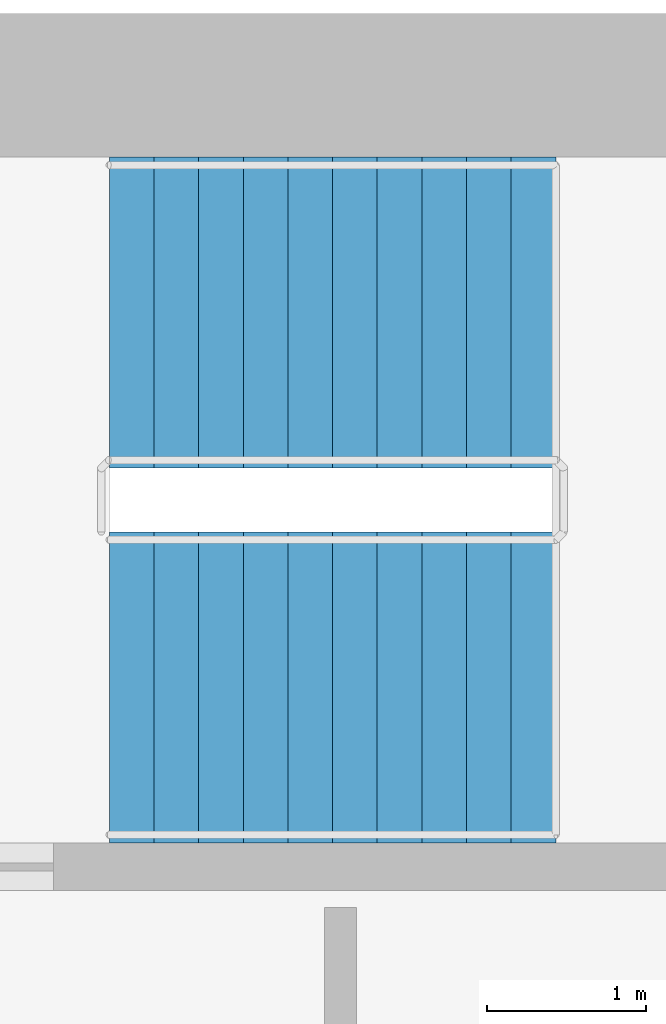
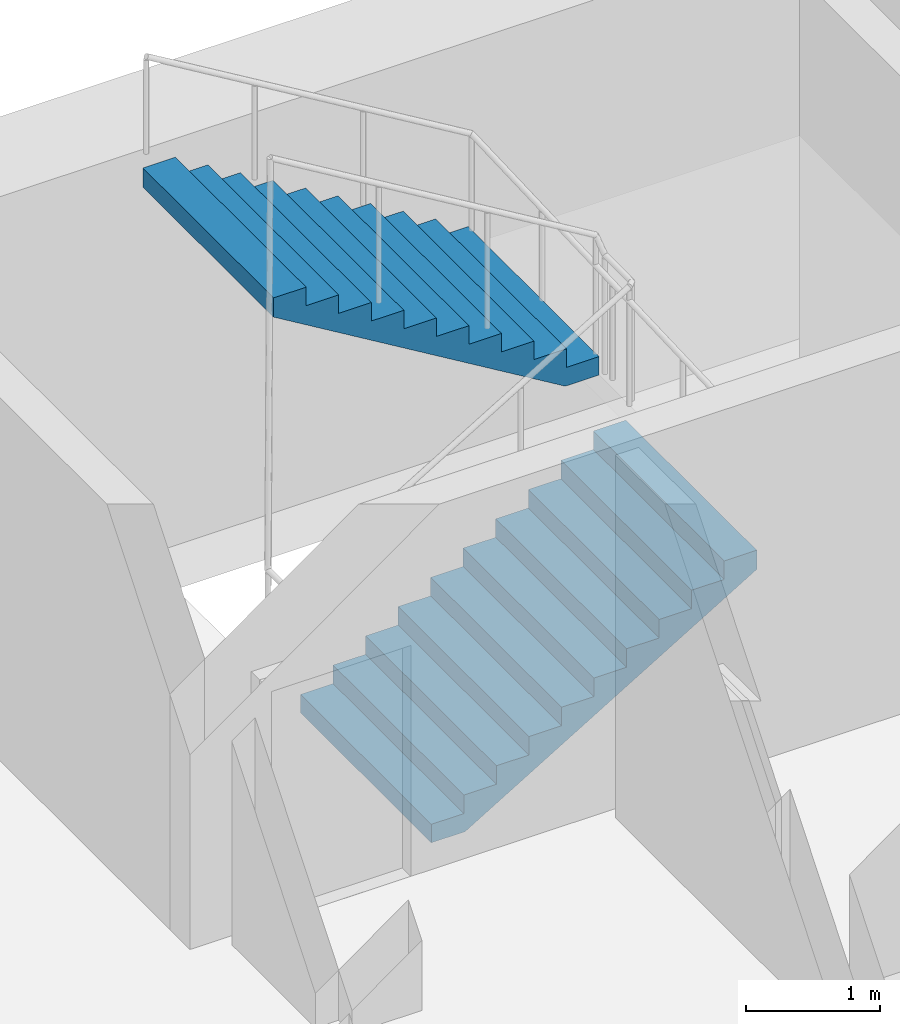
# One storey, part 17 of 22: 2 stair flights, 1 element without a shape of its own.
"""IFC4 building model written with IfcOpenShell, lengths in metres."""

from ifc_helpers import new_model, si_unit, direction, frame, origin, place, context, subcontext, project, spatial, polyline, outline, extrude, material, type_object, element, aggregate, save


model = new_model("IFC4")

# Units and contexts
model_context = context("Model", 3, precision=1e-05, world=origin(), true_north=direction((0.0, 1.0)))
body_context = subcontext(model_context, "Body", "Model", "MODEL_VIEW")
ifc_project = project(units=[si_unit("LENGTHUNIT", "METRE"), si_unit("AREAUNIT", "SQUARE_METRE"), si_unit("VOLUMEUNIT", "CUBIC_METRE"), si_unit("PLANEANGLEUNIT", "RADIAN"), si_unit("MASSUNIT", "GRAM", prefix="KILO")], contexts=[model_context])

# Site, building, storey
site_placement = place(None, origin())
site = spatial("IfcSite", under=ifc_project, at=site_placement, CompositionType="ELEMENT")
building_placement = place(site_placement, origin())
building = spatial("IfcBuilding", under=site, at=building_placement, Name="Hunhe Ridgeline Campus", CompositionType="ELEMENT")
storey_placement = place(building_placement, frame((0.0, 0.0, 163.39990234375)))
storey = spatial("IfcBuildingStorey", under=building, at=storey_placement, Name="L41", CompositionType="ELEMENT", Elevation=163.39990234375)

# Stair, stair flights
ifc_material = material(Name="Concrete C40", Category="concrete")
stair_type = type_object("IfcStairType", Name="Reinforced concrete dog-leg stair 1950 Concrete C40", PredefinedType="HALF_TURN_STAIR", material=ifc_material)
stair_placement = place(storey_placement, origin())
stair = element("IfcStair", 1, at=stair_placement, inside=storey, type_object=stair_type, Name="L41 E2", PredefinedType="HALF_TURN_STAIR")
stair_flight_type = type_object("IfcStairFlightType", Name="Reinforced concrete stair flight 1950 Concrete C40", PredefinedType="STRAIGHT", material=ifc_material)
stair_flight_1_placement = place(storey_placement, frame((51.64990234375, 94.77490234375, 0.0), z_axis=(0.0, 0.0, 1.0), x_axis=(1.0, 0.0, 0.0)))
stair_flight_1 = element("IfcStairFlight", 2, at=stair_flight_1_placement, type_object=stair_flight_type, Name="ST6 flight 1", NumberOfRisers=11, NumberOfTreads=10, PredefinedType="STRAIGHT", RiserHeight=0.168181818, TreadLength=0.28, context=body_context, shape_type="SweptSolid", body=[
    extrude(outline(polyline([(0.0, 0.0), (0.0, 0.168212890625), (0.280029296875, 0.168212890625), (0.280029296875, 0.33642578125), (0.56005859375, 0.33642578125), (0.56005859375, 0.504638671875), (0.840087890625, 0.504638671875), (0.840087890625, 0.672607421875), (1.1201171875, 0.672607421875), (1.1201171875, 0.8408203125), (1.39990234375, 0.8408203125), (1.39990234375, 1.009033203125), (1.679931640625, 1.009033203125), (1.679931640625, 1.17724609375), (1.9599609375, 1.17724609375), (1.9599609375, 1.345458984375), (2.239990234375, 1.345458984375), (2.239990234375, 1.513671875), (2.52001953125, 1.513671875), (2.52001953125, 1.681884765625), (2.800048828125, 1.681884765625), (2.800048828125, 1.85009765625), (2.800048828125, 1.5068359375), (0.291015625, 0.0), (0.0, 0.0)])), frame((0.0, 0.97509765625, 0.0), z_axis=(0.0, -1.0, 0.0), x_axis=(1.0, 0.0, 0.0)), (0.0, 0.0, 1.0), 1.949951171875),
    extrude(outline(polyline([(0.030029296875, 0.030029296875), (0.030029296875, 0.13818359375), (0.31005859375, 0.13818359375), (0.31005859375, 0.306396484375), (0.590087890625, 0.306396484375), (0.590087890625, 0.474609375), (0.8701171875, 0.474609375), (0.8701171875, 0.642578125), (1.14990234375, 0.642578125), (1.14990234375, 0.810791015625), (1.429931640625, 0.810791015625), (1.429931640625, 0.97900390625), (1.7099609375, 0.97900390625), (1.7099609375, 1.147216796875), (1.989990234375, 1.147216796875), (1.989990234375, 1.3154296875), (2.27001953125, 1.3154296875), (2.27001953125, 1.483642578125), (2.550048828125, 1.483642578125), (2.550048828125, 1.65185546875), (2.77001953125, 1.65185546875), (2.77001953125, 1.52392578125), (0.28271484375, 0.030029296875), (0.030029296875, 0.030029296875)])), frame((0.0, -0.070068359375, 0.0), z_axis=(0.0, -1.0, 0.0), x_axis=(1.0, 0.0, 0.0)), (0.0, 0.0, 1.0), 0.019775390625),
    extrude(outline(polyline([(0.030029296875, 0.030029296875), (0.030029296875, 0.13818359375), (0.31005859375, 0.13818359375), (0.31005859375, 0.306396484375), (0.590087890625, 0.306396484375), (0.590087890625, 0.474609375), (0.8701171875, 0.474609375), (0.8701171875, 0.642578125), (1.14990234375, 0.642578125), (1.14990234375, 0.810791015625), (1.429931640625, 0.810791015625), (1.429931640625, 0.97900390625), (1.7099609375, 0.97900390625), (1.7099609375, 1.147216796875), (1.989990234375, 1.147216796875), (1.989990234375, 1.3154296875), (2.27001953125, 1.3154296875), (2.27001953125, 1.483642578125), (2.550048828125, 1.483642578125), (2.550048828125, 1.65185546875), (2.77001953125, 1.65185546875), (2.77001953125, 1.52392578125), (0.28271484375, 0.030029296875), (0.030029296875, 0.030029296875)])), frame((0.0, 0.010009765625, 0.0), z_axis=(0.0, -1.0, 0.0), x_axis=(1.0, 0.0, 0.0)), (0.0, 0.0, 1.0), 0.019775390625),
    extrude(outline(polyline([(0.030029296875, 0.030029296875), (0.030029296875, 0.13818359375), (0.31005859375, 0.13818359375), (0.31005859375, 0.306396484375), (0.590087890625, 0.306396484375), (0.590087890625, 0.474609375), (0.8701171875, 0.474609375), (0.8701171875, 0.642578125), (1.14990234375, 0.642578125), (1.14990234375, 0.810791015625), (1.429931640625, 0.810791015625), (1.429931640625, 0.97900390625), (1.7099609375, 0.97900390625), (1.7099609375, 1.147216796875), (1.989990234375, 1.147216796875), (1.989990234375, 1.3154296875), (2.27001953125, 1.3154296875), (2.27001953125, 1.483642578125), (2.550048828125, 1.483642578125), (2.550048828125, 1.65185546875), (2.77001953125, 1.65185546875), (2.77001953125, 1.52392578125), (0.28271484375, 0.030029296875), (0.030029296875, 0.030029296875)])), frame((0.0, 0.090087890625, 0.0), z_axis=(0.0, -1.0, 0.0), x_axis=(1.0, 0.0, 0.0)), (0.0, 0.0, 1.0), 0.019775390625),
])
stair_flight_2_placement = place(storey_placement, frame((54.449951171875, 97.125, 1.85009765625), z_axis=(0.0, 0.0, 1.0), x_axis=(-1.0, 0.0, 0.0)))
stair_flight_2 = element("IfcStairFlight", 3, at=stair_flight_2_placement, type_object=stair_flight_type, Name="ST6 flight 2", NumberOfRisers=11, NumberOfTreads=10, PredefinedType="STRAIGHT", RiserHeight=0.168181818, TreadLength=0.28, context=body_context, shape_type="SweptSolid", body=[
    extrude(outline(polyline([(0.0, 0.0), (0.0, 0.168212890625), (0.280029296875, 0.168212890625), (0.280029296875, 0.33642578125), (0.56005859375, 0.33642578125), (0.56005859375, 0.504638671875), (0.840087890625, 0.504638671875), (0.840087890625, 0.672607421875), (1.1201171875, 0.672607421875), (1.1201171875, 0.8408203125), (1.39990234375, 0.8408203125), (1.39990234375, 1.009033203125), (1.679931640625, 1.009033203125), (1.679931640625, 1.17724609375), (1.9599609375, 1.17724609375), (1.9599609375, 1.345458984375), (2.239990234375, 1.345458984375), (2.239990234375, 1.513671875), (2.52001953125, 1.513671875), (2.52001953125, 1.681884765625), (2.800048828125, 1.681884765625), (2.800048828125, 1.85009765625), (2.800048828125, 1.5068359375), (0.291015625, 0.0), (0.0, 0.0)])), frame((0.0, 0.97509765625, 0.0), z_axis=(0.0, -1.0, 0.0), x_axis=(1.0, 0.0, 0.0)), (0.0, 0.0, 1.0), 1.949951171875),
    extrude(outline(polyline([(0.030029296875, 0.030029296875), (0.030029296875, 0.13818359375), (0.31005859375, 0.13818359375), (0.31005859375, 0.306396484375), (0.590087890625, 0.306396484375), (0.590087890625, 0.474609375), (0.8701171875, 0.474609375), (0.8701171875, 0.642578125), (1.14990234375, 0.642578125), (1.14990234375, 0.810791015625), (1.429931640625, 0.810791015625), (1.429931640625, 0.97900390625), (1.7099609375, 0.97900390625), (1.7099609375, 1.147216796875), (1.989990234375, 1.147216796875), (1.989990234375, 1.3154296875), (2.27001953125, 1.3154296875), (2.27001953125, 1.483642578125), (2.550048828125, 1.483642578125), (2.550048828125, 1.65185546875), (2.77001953125, 1.65185546875), (2.77001953125, 1.52392578125), (0.28271484375, 0.030029296875), (0.030029296875, 0.030029296875)])), frame((0.0, -0.070068359375, 0.0), z_axis=(0.0, -1.0, 0.0), x_axis=(1.0, 0.0, 0.0)), (0.0, 0.0, 1.0), 0.019775390625),
    extrude(outline(polyline([(0.030029296875, 0.030029296875), (0.030029296875, 0.13818359375), (0.31005859375, 0.13818359375), (0.31005859375, 0.306396484375), (0.590087890625, 0.306396484375), (0.590087890625, 0.474609375), (0.8701171875, 0.474609375), (0.8701171875, 0.642578125), (1.14990234375, 0.642578125), (1.14990234375, 0.810791015625), (1.429931640625, 0.810791015625), (1.429931640625, 0.97900390625), (1.7099609375, 0.97900390625), (1.7099609375, 1.147216796875), (1.989990234375, 1.147216796875), (1.989990234375, 1.3154296875), (2.27001953125, 1.3154296875), (2.27001953125, 1.483642578125), (2.550048828125, 1.483642578125), (2.550048828125, 1.65185546875), (2.77001953125, 1.65185546875), (2.77001953125, 1.52392578125), (0.28271484375, 0.030029296875), (0.030029296875, 0.030029296875)])), frame((0.0, 0.010009765625, 0.0), z_axis=(0.0, -1.0, 0.0), x_axis=(1.0, 0.0, 0.0)), (0.0, 0.0, 1.0), 0.019775390625),
    extrude(outline(polyline([(0.030029296875, 0.030029296875), (0.030029296875, 0.13818359375), (0.31005859375, 0.13818359375), (0.31005859375, 0.306396484375), (0.590087890625, 0.306396484375), (0.590087890625, 0.474609375), (0.8701171875, 0.474609375), (0.8701171875, 0.642578125), (1.14990234375, 0.642578125), (1.14990234375, 0.810791015625), (1.429931640625, 0.810791015625), (1.429931640625, 0.97900390625), (1.7099609375, 0.97900390625), (1.7099609375, 1.147216796875), (1.989990234375, 1.147216796875), (1.989990234375, 1.3154296875), (2.27001953125, 1.3154296875), (2.27001953125, 1.483642578125), (2.550048828125, 1.483642578125), (2.550048828125, 1.65185546875), (2.77001953125, 1.65185546875), (2.77001953125, 1.52392578125), (0.28271484375, 0.030029296875), (0.030029296875, 0.030029296875)])), frame((0.0, 0.090087890625, 0.0), z_axis=(0.0, -1.0, 0.0), x_axis=(1.0, 0.0, 0.0)), (0.0, 0.0, 1.0), 0.019775390625),
])
aggregate(stair, [stair_flight_1, stair_flight_2])

save(model, "model.ifc")
